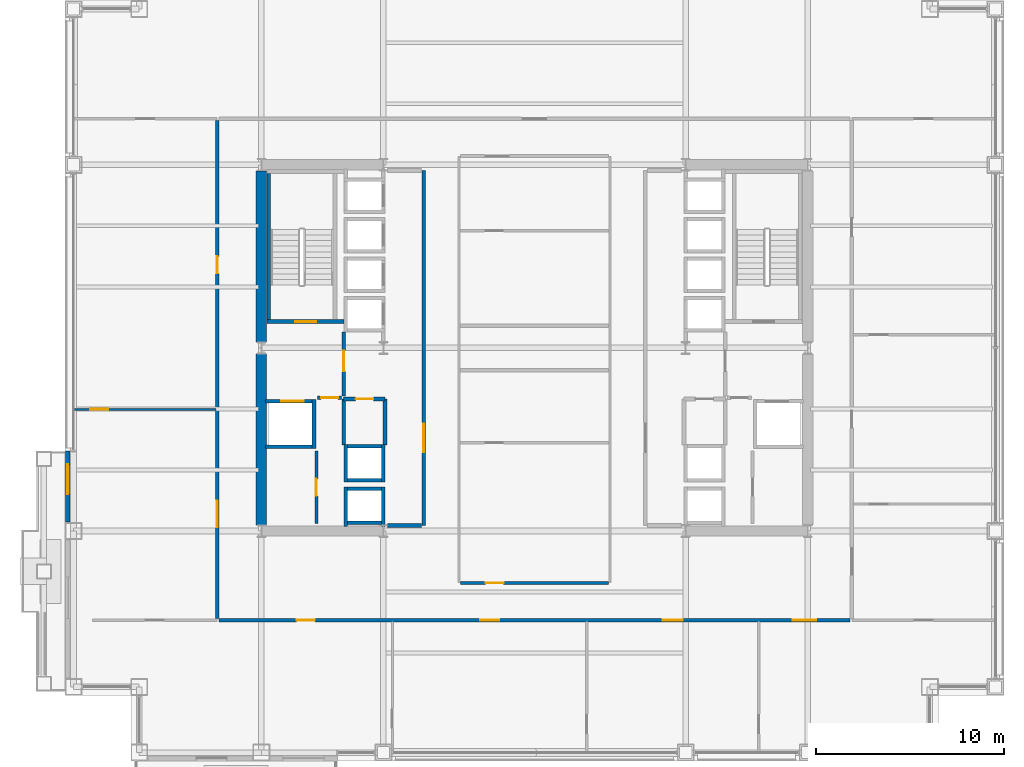
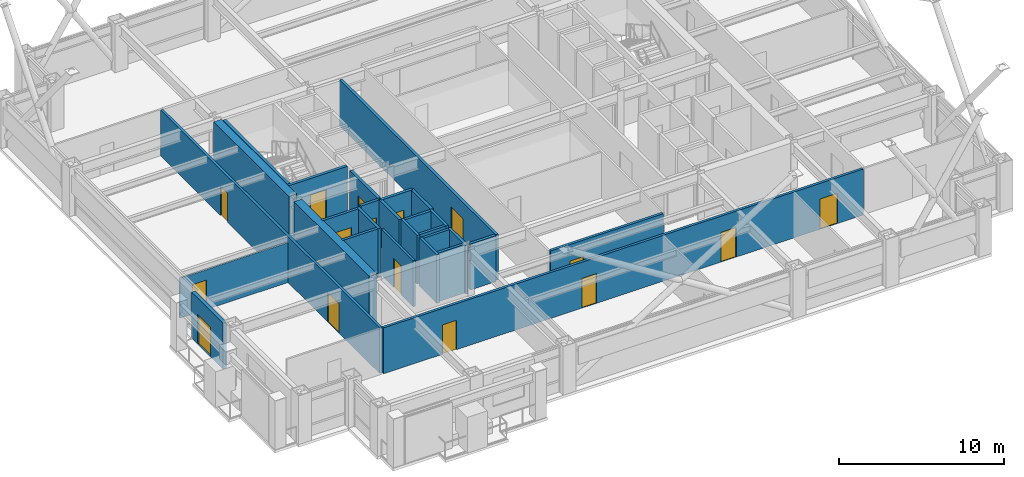
# One storey, part 25 of 30: 28 walls, 16 doors, 16 openings.
"""IFC4 building model written with IfcOpenShell, lengths in metres."""

from ifc_helpers import new_model, si_unit, direction, frame, frame_2d, origin, place, context, subcontext, project, spatial, rectangle, extrude, material, layer, layer_set, type_object, element, fill, save


model = new_model("IFC4")

# Units and contexts
model_context = context("Model", 3, precision=1e-05, world=origin(), true_north=direction((0.0, 1.0)))
body_context = subcontext(model_context, "Body", "Model", "MODEL_VIEW")
ifc_project = project(units=[si_unit("LENGTHUNIT", "METRE"), si_unit("AREAUNIT", "SQUARE_METRE"), si_unit("VOLUMEUNIT", "CUBIC_METRE"), si_unit("PLANEANGLEUNIT", "RADIAN"), si_unit("MASSUNIT", "GRAM", prefix="KILO")], contexts=[model_context])

# Site, building, storey
site_placement = place(None, origin())
site = spatial("IfcSite", under=ifc_project, at=site_placement, CompositionType="ELEMENT")
building_placement = place(site_placement, origin())
building = spatial("IfcBuilding", under=site, at=building_placement, Name="Brelmoor Portico Tower", CompositionType="ELEMENT")
storey_placement = place(building_placement, frame((0.0, 0.0, 56.39990234375)))
storey = spatial("IfcBuildingStorey", under=building, at=storey_placement, Name="L14", CompositionType="ELEMENT", Elevation=56.39990234375)

# Walls
ifc_material_1 = material(Name="Concrete C60", Category="concrete")
ifc_layer_1 = layer(ifc_material_1, 0.550048828125)
ifc_layer_set_1 = layer_set([ifc_layer_1], Name="Concrete C60")
wall_type_1 = type_object("IfcWallType", Name="WL-CORE-550", PredefinedType="SHEAR", material=ifc_layer_set_1)
for number, where, z_axis, x_axis, name in (
    (1, (-14.550048828125, -9.425048828125, -0.199951171875), (0.0, 0.0, 1.0), (0.0, 1.0, 0.0), "L14 WC Outer South Shear Wall"),
    (2, (-14.550048828125, 0.324951171875, -0.199951171875), (0.0, 0.0, 1.0), (0.0, 1.0, 0.0), "L14 WC Outer North Shear Wall"),
):
    element("IfcWall", number, at=place(storey_placement, frame(where, z_axis=z_axis, x_axis=x_axis)), inside=storey, type_object=wall_type_1, Name=name, PredefinedType="SHEAR", context=body_context, shape_type="SweptSolid", body=[
        extrude(rectangle(XDim=9.10009765625, YDim=0.550048828125, at=frame_2d((4.550048828125, 0.0))), origin(), (0.0, 0.0, 1.0), 3.60009765625),
    ])

# Wall, opening, door
ifc_material_2 = material(Name="Precast Concrete C40 Insulated Facade Wall", Category="concrete")
ifc_layer_2 = layer(ifc_material_2, 0.25)
ifc_layer_set_2 = layer_set([ifc_layer_2], Name="Precast Concrete C40 Insulated Facade Wall")
wall_type_2 = type_object("IfcWallType", Name="WL-EXT-250", PredefinedType="STANDARD", material=ifc_layer_set_2)
wall_1_placement = place(storey_placement, frame((-24.860107421875, -9.280029296875, 0.0), z_axis=(0.0, 0.0, 1.0), x_axis=(0.0, 1.0, 0.0)))
wall_1 = element("IfcWall", 3, at=wall_1_placement, inside=storey, type_object=wall_type_2, Name="L14 Loggia Threshold Wall W-2", PredefinedType="STANDARD", context=body_context, shape_type="SweptSolid", body=[
    extrude(rectangle(XDim=3.780029296875, YDim=0.25, at=frame_2d((1.89013671875, 0.0))), origin(), (0.0, 0.0, 1.0), 3.400146484375),
])
opening_1_placement = place(wall_1_placement, frame((1.47998046875, 0.0, 0.0)))
opening_1 = element("IfcOpeningElement", 4, at=opening_1_placement, cuts=wall_1, Name="Opening D-TB1", PredefinedType="OPENING", context=body_context, shape_type="SweptSolid", body=[
    extrude(rectangle(XDim=1.60009765625, YDim=2.199951171875, at=frame_2d((0.800048828125, 1.10009765625))), frame((0.0, 0.135009765625, 0.0), z_axis=(0.0, -1.0, 0.0), x_axis=(1.0, 0.0, 0.0)), (0.0, 0.0, 1.0), 0.27001953125),
])
ifc_material_3 = material(Name="Double-Leaf Thermally Broken Terrace Door", Category="aluminium")
door_type_1 = type_object("IfcDoorType", Name="DR-BALCONY-1600", OperationType="NOTDEFINED", PredefinedType="DOOR", material=ifc_material_3)
door_1_placement = place(opening_1_placement, origin())
door_1 = element("IfcDoor", 5, at=door_1_placement, inside=storey, type_object=door_type_1, Name="D-0648 L14 Tree Balcony Double Door W", OperationType="DOUBLE_DOOR_SINGLE_SWING", OverallHeight=2.199951171875, OverallWidth=1.60009765625, PredefinedType="DOOR", context=body_context, shape_type="SweptSolid", body=[
    extrude(rectangle(XDim=1.60009765625, YDim=2.199951171875, at=frame_2d((0.800048828125, 1.10009765625))), frame((0.0, 0.02490234375, 0.0), z_axis=(0.0, -1.0, 0.0), x_axis=(1.0, 0.0, 0.0)), (0.0, 0.0, 1.0), 0.050048828125),
])
fill(opening_1, door_1)

ifc_material_4 = material(Name="Lightweight Gypsum Office Partition", Category="gypsum")
ifc_layer_3 = layer(ifc_material_4, 0.1201171875)
ifc_layer_set_3 = layer_set([ifc_layer_3], Name="Lightweight Gypsum Office Partition")
wall_type_3 = type_object("IfcWallType", Name="WL-PART-120", PredefinedType="PARTITIONING", material=ifc_layer_set_3)
wall_2_placement = place(storey_placement, frame((-24.56005859375, -3.273193359375, 0.0), z_axis=(0.0, 0.0, 1.0), x_axis=(1.0, 0.0, 0.0)))
wall_2 = element("IfcWall", 6, at=wall_2_placement, inside=storey, type_object=wall_type_3, Name="L14 W Wing Partition 1", PredefinedType="PARTITIONING", context=body_context, shape_type="SweptSolid", body=[
    extrude(rectangle(XDim=7.60009765625, YDim=0.1201171875, at=frame_2d((3.800048828125, 0.0))), origin(), (0.0, 0.0, 1.0), 2.9501953125),
])
opening_2_placement = place(wall_2_placement, frame((0.89990234375, 0.0, 0.0)))
opening_2 = element("IfcOpeningElement", 7, at=opening_2_placement, cuts=wall_2, Name="Opening D-IN2", PredefinedType="OPENING", context=body_context, shape_type="SweptSolid", body=[
    extrude(rectangle(XDim=0.9599609375, YDim=2.179931640625, at=frame_2d((0.47998046875, 1.08984375))), frame((0.0, 0.070068359375, 0.0), z_axis=(0.0, -1.0, 0.0), x_axis=(1.0, 0.0, 0.0)), (0.0, 0.0, 1.0), 0.14013671875),
])
ifc_material_5 = material(Name="Lacquered Timber Suite Door", Category="wood")
door_type_2 = type_object("IfcDoorType", Name="DR-INT-950", OperationType="NOTDEFINED", PredefinedType="DOOR", material=ifc_material_5)
door_2_placement = place(opening_2_placement, origin())
door_2 = element("IfcDoor", 8, at=door_2_placement, inside=storey, type_object=door_type_2, Name="D-0656 L14 W Wing Suite Connecting Door 1", OperationType="SINGLE_SWING_LEFT", OverallHeight=2.179931640625, OverallWidth=0.9599609375, PredefinedType="DOOR", context=body_context, shape_type="SweptSolid", body=[
    extrude(rectangle(XDim=0.9599609375, YDim=2.179931640625, at=frame_2d((0.47998046875, 1.08984375))), frame((0.0, 0.02490234375, 0.0), z_axis=(0.0, -1.0, 0.0), x_axis=(1.0, 0.0, 0.0)), (0.0, 0.0, 1.0), 0.050048828125),
])
fill(opening_2, door_2)

ifc_material_6 = material(Name="Twin-Frame Acoustic Partition", Category="gypsum")
ifc_layer_4 = layer(ifc_material_6, 0.159912109375)
ifc_layer_set_4 = layer_set([ifc_layer_4], Name="Twin-Frame Acoustic Partition")
wall_type_4 = type_object("IfcWallType", Name="WL-PART-160", PredefinedType="PARTITIONING", material=ifc_layer_set_4)
wall_3_placement = place(storey_placement, frame((-11.6201171875, -9.35009765625, 0.0), z_axis=(0.0, 0.0, 1.0), x_axis=(0.0, 1.0, 0.0)))
wall_3 = element("IfcWall", 9, at=wall_3_placement, inside=storey, type_object=wall_type_4, Name="L14 W Core Service Front Wall", PredefinedType="PARTITIONING", context=body_context, shape_type="SweptSolid", body=[
    extrude(rectangle(XDim=3.85009765625, YDim=0.159912109375, at=frame_2d((1.925048828125, 0.0))), origin(), (0.0, 0.0, 1.0), 3.400146484375),
])
opening_3_placement = place(wall_3_placement, frame((1.47509765625, 0.0, 0.0)))
opening_3 = element("IfcOpeningElement", 10, at=opening_3_placement, cuts=wall_3, Name="Opening D-IN1", PredefinedType="OPENING", context=body_context, shape_type="SweptSolid", body=[
    extrude(rectangle(XDim=0.89990234375, YDim=2.14990234375, at=frame_2d((0.449951171875, 1.074951171875))), frame((0.0, 0.08984375, 0.0), z_axis=(0.0, -1.0, 0.0), x_axis=(1.0, 0.0, 0.0)), (0.0, 0.0, 1.0), 0.179931640625),
])
door_type_3 = type_object("IfcDoorType", Name="DR-INT-900", OperationType="NOTDEFINED", PredefinedType="DOOR", material=ifc_material_5)
door_3_placement = place(opening_3_placement, origin())
door_3 = element("IfcDoor", 11, at=door_3_placement, inside=storey, type_object=door_type_3, Name="D-0626 L14 W Accessible WC Door", OperationType="SINGLE_SWING_RIGHT", OverallHeight=2.14990234375, OverallWidth=0.89990234375, PredefinedType="DOOR", context=body_context, shape_type="SweptSolid", body=[
    extrude(rectangle(XDim=0.89990234375, YDim=2.14990234375, at=frame_2d((0.449951171875, 1.074951171875))), frame((0.0, 0.02490234375, 0.0), z_axis=(0.0, -1.0, 0.0), x_axis=(1.0, 0.0, 0.0)), (0.0, 0.0, 1.0), 0.050048828125),
])
fill(opening_3, door_3)

ifc_material_7 = material(Name="Acoustic Corridor Fire Partition", Category="gypsum")
ifc_layer_5 = layer(ifc_material_7, 0.179931640625)
ifc_layer_set_5 = layer_set([ifc_layer_5], Name="Acoustic Corridor Fire Partition")
wall_type_5 = type_object("IfcWallType", Name="WL-PART-180", PredefinedType="PARTITIONING", material=ifc_layer_set_5)
wall_4_placement = place(storey_placement, frame((-3.949951171875, -12.52001953125, 0.0), z_axis=(0.0, 0.0, 1.0), x_axis=(1.0, 0.0, 0.0)))
wall_4 = element("IfcWall", 12, at=wall_4_placement, inside=storey, type_object=wall_type_5, Name="L14 Central Pantry Corridor Wall", PredefinedType="PARTITIONING", context=body_context, shape_type="SweptSolid", body=[
    extrude(rectangle(XDim=7.89990234375, YDim=0.179931640625, at=frame_2d((3.949951171875, 0.0))), origin(), (0.0, 0.0, 1.0), 3.400146484375),
])
opening_4_placement = place(wall_4_placement, frame((1.35009765625, 0.0, 0.0)))
opening_4 = element("IfcOpeningElement", 13, at=opening_4_placement, cuts=wall_4, Name="Opening D-IN2", PredefinedType="OPENING", context=body_context, shape_type="SweptSolid", body=[
    extrude(rectangle(XDim=0.9599609375, YDim=2.179931640625, at=frame_2d((0.47998046875, 1.08984375))), frame((0.0, 0.099853515625, 0.0), z_axis=(0.0, -1.0, 0.0), x_axis=(1.0, 0.0, 0.0)), (0.0, 0.0, 1.0), 0.199951171875),
])
door_4_placement = place(opening_4_placement, origin())
door_4 = element("IfcDoor", 14, at=door_4_placement, inside=storey, type_object=door_type_2, Name="D-0621 L14 Staff Pantry Door", OperationType="SINGLE_SWING_RIGHT", OverallHeight=2.179931640625, OverallWidth=0.9599609375, PredefinedType="DOOR", context=body_context, shape_type="SweptSolid", body=[
    extrude(rectangle(XDim=0.9599609375, YDim=2.179931640625, at=frame_2d((0.47998046875, 1.08984375))), frame((0.0, 0.02490234375, 0.0), z_axis=(0.0, -1.0, 0.0), x_axis=(1.0, 0.0, 0.0)), (0.0, 0.0, 1.0), 0.050048828125),
])
fill(opening_4, door_4)

# Wall, openings, doors
wall_5_placement = place(storey_placement, frame((-16.800048828125, -14.5, 0.0), z_axis=(0.0, 0.0, 1.0), x_axis=(1.0, 0.0, 0.0)))
wall_5 = element("IfcWall", 15, at=wall_5_placement, inside=storey, type_object=wall_type_5, Name="L14 South Corridor Partition", PredefinedType="PARTITIONING", context=body_context, shape_type="SweptSolid", body=[
    extrude(rectangle(XDim=33.60009765625, YDim=0.179931640625, at=frame_2d((16.800048828125, 0.0))), origin(), (0.0, 0.0, 1.0), 3.400146484375),
])
opening_5_placement = place(wall_5_placement, frame((4.13720703125, 0.0, 0.0)))
opening_5 = element("IfcOpeningElement", 16, at=opening_5_placement, cuts=wall_5, Name="Opening D-IN2", PredefinedType="OPENING", context=body_context, shape_type="SweptSolid", body=[
    extrude(rectangle(XDim=0.9599609375, YDim=2.179931640625, at=frame_2d((0.47998046875, 1.08984375))), frame((0.0, 0.099853515625, 0.0), z_axis=(0.0, -1.0, 0.0), x_axis=(1.0, 0.0, 0.0)), (0.0, 0.0, 1.0), 0.199951171875),
])
opening_6_placement = place(wall_5_placement, frame((13.90087890625, 0.0, 0.0)))
opening_6 = element("IfcOpeningElement", 17, at=opening_6_placement, cuts=wall_5, Name="Opening D-OF1", PredefinedType="OPENING", context=body_context, shape_type="SweptSolid", body=[
    extrude(rectangle(XDim=1.02001953125, YDim=2.199951171875, at=frame_2d((0.510009765625, 1.10009765625))), frame((0.0, 0.099853515625, 0.0), z_axis=(0.0, -1.0, 0.0), x_axis=(1.0, 0.0, 0.0)), (0.0, 0.0, 1.0), 0.199951171875),
])
opening_7_placement = place(wall_5_placement, frame((23.63671875, 0.0, 0.0)))
opening_7 = element("IfcOpeningElement", 18, at=opening_7_placement, cuts=wall_5, Name="Opening D-OF2", PredefinedType="OPENING", context=body_context, shape_type="SweptSolid", body=[
    extrude(rectangle(XDim=1.06005859375, YDim=2.199951171875, at=frame_2d((0.530029296875, 1.10009765625))), frame((0.0, 0.099853515625, 0.0), z_axis=(0.0, -1.0, 0.0), x_axis=(1.0, 0.0, 0.0)), (0.0, 0.0, 1.0), 0.199951171875),
])
opening_8_placement = place(wall_5_placement, frame((30.552978515625, 0.0, 0.0)))
opening_8 = element("IfcOpeningElement", 19, at=opening_8_placement, cuts=wall_5, Name="Opening D-SU1", PredefinedType="OPENING", context=body_context, shape_type="SweptSolid", body=[
    extrude(rectangle(XDim=1.239990234375, YDim=2.239990234375, at=frame_2d((0.6201171875, 1.1201171875))), frame((0.0, 0.099853515625, 0.0), z_axis=(0.0, -1.0, 0.0), x_axis=(1.0, 0.0, 0.0)), (0.0, 0.0, 1.0), 0.199951171875),
])
door_5_placement = place(opening_5_placement, origin())
door_5 = element("IfcDoor", 20, at=door_5_placement, inside=storey, type_object=door_type_2, Name="D-0636 L14 South Design Workshop 1 Door", OperationType="SINGLE_SWING_LEFT", OverallHeight=2.179931640625, OverallWidth=0.9599609375, PredefinedType="DOOR", context=body_context, shape_type="SweptSolid", body=[
    extrude(rectangle(XDim=0.9599609375, YDim=2.179931640625, at=frame_2d((0.47998046875, 1.08984375))), frame((0.0, 0.02490234375, 0.0), z_axis=(0.0, -1.0, 0.0), x_axis=(1.0, 0.0, 0.0)), (0.0, 0.0, 1.0), 0.050048828125),
])
fill(opening_5, door_5)
ifc_material_8 = material(Name="Hardwood Acoustic Veneer Door", Category="wood")
door_type_4 = type_object("IfcDoorType", Name="DR-OFFICE-1000", OperationType="NOTDEFINED", PredefinedType="DOOR", material=ifc_material_8)
door_6_placement = place(opening_6_placement, origin())
door_6 = element("IfcDoor", 21, at=door_6_placement, inside=storey, type_object=door_type_4, Name="D-0637 L14 South First-Aid Consultation Room 2 Door", OperationType="SINGLE_SWING_RIGHT", OverallHeight=2.199951171875, OverallWidth=1.02001953125, PredefinedType="DOOR", context=body_context, shape_type="SweptSolid", body=[
    extrude(rectangle(XDim=1.02001953125, YDim=2.199951171875, at=frame_2d((0.510009765625, 1.10009765625))), frame((0.0, 0.02490234375, 0.0), z_axis=(0.0, -1.0, 0.0), x_axis=(1.0, 0.0, 0.0)), (0.0, 0.0, 1.0), 0.050048828125),
])
fill(opening_6, door_6)
door_type_5 = type_object("IfcDoorType", Name="DR-OFFICE-1050", OperationType="NOTDEFINED", PredefinedType="DOOR", material=ifc_material_8)
door_7_placement = place(opening_7_placement, origin())
door_7 = element("IfcDoor", 22, at=door_7_placement, inside=storey, type_object=door_type_5, Name="D-0638 L14 South Technical Archive Store 3 Door", OperationType="SINGLE_SWING_LEFT", OverallHeight=2.199951171875, OverallWidth=1.06005859375, PredefinedType="DOOR", context=body_context, shape_type="SweptSolid", body=[
    extrude(rectangle(XDim=1.06005859375, YDim=2.199951171875, at=frame_2d((0.530029296875, 1.10009765625))), frame((0.0, 0.02490234375, 0.0), z_axis=(0.0, -1.0, 0.0), x_axis=(1.0, 0.0, 0.0)), (0.0, 0.0, 1.0), 0.050048828125),
])
fill(opening_7, door_7)
ifc_material_9 = material(Name="Glazed Timber Executive Suite Door", Category="wood")
door_type_6 = type_object("IfcDoorType", Name="DR-SUITE-1200", OperationType="NOTDEFINED", PredefinedType="DOOR", material=ifc_material_9)
door_8_placement = place(opening_8_placement, origin())
door_8 = element("IfcDoor", 23, at=door_8_placement, inside=storey, type_object=door_type_6, Name="D-0639 L14 South Open-Plan Office 4 Door", OperationType="SINGLE_SWING_RIGHT", OverallHeight=2.239990234375, OverallWidth=1.239990234375, PredefinedType="DOOR", context=body_context, shape_type="SweptSolid", body=[
    extrude(rectangle(XDim=1.239990234375, YDim=2.239990234375, at=frame_2d((0.6201171875, 1.1201171875))), frame((0.0, 0.02490234375, 0.0), z_axis=(0.0, -1.0, 0.0), x_axis=(1.0, 0.0, 0.0)), (0.0, 0.0, 1.0), 0.050048828125),
])
fill(opening_8, door_8)

wall_6_placement = place(storey_placement, frame((-16.89990234375, -14.419921875, 0.0), z_axis=(0.0, 0.0, 1.0), x_axis=(0.0, 1.0, 0.0)))
wall_6 = element("IfcWall", 24, at=wall_6_placement, inside=storey, type_object=wall_type_5, Name="L14 W Wing Corridor Wall", PredefinedType="PARTITIONING", context=body_context, shape_type="SweptSolid", body=[
    extrude(rectangle(XDim=26.5400390625, YDim=0.179931640625, at=frame_2d((13.27001953125, 0.0))), origin(), (0.0, 0.0, 1.0), 3.400146484375),
])
opening_9_placement = place(wall_6_placement, frame((4.873291015625, 0.0, 0.0)))
opening_9 = element("IfcOpeningElement", 25, at=opening_9_placement, cuts=wall_6, Name="Opening D-SU2", PredefinedType="OPENING", context=body_context, shape_type="SweptSolid", body=[
    extrude(rectangle(XDim=1.39990234375, YDim=2.199951171875, at=frame_2d((0.699951171875, 1.10009765625))), frame((0.0, 0.099853515625, 0.0), z_axis=(0.0, -1.0, 0.0), x_axis=(1.0, 0.0, 0.0)), (0.0, 0.0, 1.0), 0.199951171875),
])
opening_10_placement = place(wall_6_placement, frame((18.393310546875, 0.0, 0.0)))
opening_10 = element("IfcOpeningElement", 26, at=opening_10_placement, cuts=wall_6, Name="Opening D-IN1", PredefinedType="OPENING", context=body_context, shape_type="SweptSolid", body=[
    extrude(rectangle(XDim=0.89990234375, YDim=2.14990234375, at=frame_2d((0.449951171875, 1.074951171875))), frame((0.0, 0.099853515625, 0.0), z_axis=(0.0, -1.0, 0.0), x_axis=(1.0, 0.0, 0.0)), (0.0, 0.0, 1.0), 0.199951171875),
])
door_9_placement = place(opening_10_placement, origin())
door_9 = element("IfcDoor", 27, at=door_9_placement, inside=storey, type_object=door_type_3, Name="D-0655 L14 W Design Workshop 2 Door", OperationType="SINGLE_SWING_RIGHT", OverallHeight=2.14990234375, OverallWidth=0.89990234375, PredefinedType="DOOR", context=body_context, shape_type="SweptSolid", body=[
    extrude(rectangle(XDim=0.89990234375, YDim=2.14990234375, at=frame_2d((0.449951171875, 1.074951171875))), frame((0.0, 0.02490234375, 0.0), z_axis=(0.0, -1.0, 0.0), x_axis=(1.0, 0.0, 0.0)), (0.0, 0.0, 1.0), 0.050048828125),
])
fill(opening_10, door_9)
ifc_material_10 = material(Name="Double-Leaf Acoustic Suite Door", Category="timber")
door_type_7 = type_object("IfcDoorType", Name="DR-SUITE-1400", OperationType="NOTDEFINED", PredefinedType="DOOR", material=ifc_material_10)
door_10_placement = place(opening_9_placement, origin())
door_10 = element("IfcDoor", 28, at=door_10_placement, inside=storey, type_object=door_type_7, Name="D-0654 L14 W Project Reception Concierge 1 Door", OperationType="DOUBLE_DOOR_SINGLE_SWING", OverallHeight=2.199951171875, OverallWidth=1.39990234375, PredefinedType="DOOR", context=body_context, shape_type="SweptSolid", body=[
    extrude(rectangle(XDim=1.39990234375, YDim=2.199951171875, at=frame_2d((0.699951171875, 1.10009765625))), frame((0.0, 0.02490234375, 0.0), z_axis=(0.0, -1.0, 0.0), x_axis=(1.0, 0.0, 0.0)), (0.0, 0.0, 1.0), 0.050048828125),
])
fill(opening_9, door_10)

# Wall, opening, door
ifc_material_11 = material(Name="Double-Stud Gypsum Fire Partition", Category="gypsum")
ifc_layer_6 = layer(ifc_material_11, 0.199951171875)
ifc_layer_set_6 = layer_set([ifc_layer_6], Name="Double-Stud Gypsum Fire Partition")
wall_type_6 = type_object("IfcWallType", Name="WL-PART-200", PredefinedType="PARTITIONING", material=ifc_layer_set_6)
wall_7_placement = place(storey_placement, frame((-5.89990234375, -9.449951171875, 0.0), z_axis=(0.0, 0.0, 1.0), x_axis=(0.0, 1.0, 0.0)))
wall_7 = element("IfcWall", 29, at=wall_7_placement, inside=storey, type_object=wall_type_6, Name="L14 W Core Lobby Compartment Wall", PredefinedType="PARTITIONING", context=body_context, shape_type="SweptSolid", body=[
    extrude(rectangle(XDim=18.89990234375, YDim=0.199951171875, at=frame_2d((9.449951171875, 0.0))), origin(), (0.0, 0.0, 1.0), 3.400146484375),
])
opening_11_placement = place(wall_7_placement, frame((3.89990234375, 0.0, 0.0)))
opening_11 = element("IfcOpeningElement", 30, at=opening_11_placement, cuts=wall_7, Name="Opening D-LB1", PredefinedType="OPENING", context=body_context, shape_type="SweptSolid", body=[
    extrude(rectangle(XDim=1.5, YDim=2.199951171875, at=frame_2d((0.75, 1.10009765625))), frame((0.0, 0.10986328125, 0.0), z_axis=(0.0, -1.0, 0.0), x_axis=(1.0, 0.0, 0.0)), (0.0, 0.0, 1.0), 0.219970703125),
])
ifc_material_12 = material(Name="Double-Leaf Glazed Steel Fire Door", Category="steel")
door_type_8 = type_object("IfcDoorType", Name="DR-LOBBY-1500", OperationType="NOTDEFINED", PredefinedType="DOOR", material=ifc_material_12)
door_11_placement = place(opening_11_placement, origin())
door_11 = element("IfcDoor", 31, at=door_11_placement, inside=storey, type_object=door_type_8, Name="D-0632 L14 W Lift Lobby Main Door", OperationType="DOUBLE_DOOR_SINGLE_SWING", OverallHeight=2.199951171875, OverallWidth=1.5, PredefinedType="DOOR", context=body_context, shape_type="SweptSolid", body=[
    extrude(rectangle(XDim=1.5, YDim=2.199951171875, at=frame_2d((0.75, 1.10009765625))), frame((0.0, 0.02490234375, 0.0), z_axis=(0.0, -1.0, 0.0), x_axis=(1.0, 0.0, 0.0)), (0.0, 0.0, 1.0), 0.050048828125),
])
fill(opening_11, door_11)

# Wall
wall_8_placement = place(storey_placement, frame((-6.02001953125, -9.449951171875, 0.0), z_axis=(0.0, 0.0, 1.0), x_axis=(-1.0, 0.0, 0.0)))
element("IfcWall", 32, at=wall_8_placement, inside=storey, type_object=wall_type_6, Name="L14 W Lift Lobby South End Wall", PredefinedType="PARTITIONING", context=body_context, shape_type="SweptSolid", body=[
    extrude(rectangle(XDim=1.800048828125, YDim=0.199951171875, at=frame_2d((0.89990234375, 0.0))), origin(), (0.0, 0.0, 1.0), 3.400146484375),
])

# Wall, opening, door
wall_9_placement = place(storey_placement, frame((-10.159912109375, -2.550048828125, 0.0), z_axis=(0.0, 0.0, 1.0), x_axis=(0.0, 1.0, 0.0)))
wall_9 = element("IfcWall", 33, at=wall_9_placement, inside=storey, type_object=wall_type_6, Name="L14 W Firefighting Lobby Wall", PredefinedType="PARTITIONING", context=body_context, shape_type="SweptSolid", body=[
    extrude(rectangle(XDim=3.400146484375, YDim=0.199951171875, at=frame_2d((1.7001953125, 0.0))), origin(), (0.0, 0.0, 1.0), 3.400146484375),
])
opening_12_placement = place(wall_9_placement, frame((1.300048828125, 0.0, 0.0)))
opening_12 = element("IfcOpeningElement", 34, at=opening_12_placement, cuts=wall_9, Name="Opening D-FR1", PredefinedType="OPENING", context=body_context, shape_type="SweptSolid", body=[
    extrude(rectangle(XDim=1.10009765625, YDim=2.14990234375, at=frame_2d((0.550048828125, 1.074951171875))), frame((0.0, 0.10986328125, 0.0), z_axis=(0.0, -1.0, 0.0), x_axis=(1.0, 0.0, 0.0)), (0.0, 0.0, 1.0), 0.219970703125),
])
ifc_material_13 = material(Name="Painted Galvanised Steel Fire Door", Category="steel")
door_type_9 = type_object("IfcDoorType", Name="DR-FIRE-1100", OperationType="NOTDEFINED", PredefinedType="DOOR", material=ifc_material_13)
door_12_placement = place(opening_12_placement, origin())
door_12 = element("IfcDoor", 35, at=door_12_placement, inside=storey, type_object=door_type_9, Name="D-0630 L14 W Firefighting Lobby Door", OperationType="SINGLE_SWING_LEFT", OverallHeight=2.14990234375, OverallWidth=1.10009765625, PredefinedType="DOOR", context=body_context, shape_type="SweptSolid", body=[
    extrude(rectangle(XDim=1.10009765625, YDim=2.14990234375, at=frame_2d((0.550048828125, 1.074951171875))), frame((0.0, 0.02490234375, 0.0), z_axis=(0.0, -1.0, 0.0), x_axis=(1.0, 0.0, 0.0)), (0.0, 0.0, 1.0), 0.050048828125),
])
fill(opening_12, door_12)

wall_10_placement = place(storey_placement, frame((-10.280029296875, -2.64990234375, 0.0), z_axis=(0.0, 0.0, 1.0), x_axis=(-1.0, 0.0, 0.0)))
wall_10 = element("IfcWall", 36, at=wall_10_placement, inside=storey, type_object=wall_type_6, Name="L14 W Firefighting Lobby South Wall", PredefinedType="PARTITIONING", context=body_context, shape_type="SweptSolid", body=[
    extrude(rectangle(XDim=1.27001953125, YDim=0.199951171875, at=frame_2d((0.635009765625, 0.0))), origin(), (0.0, 0.0, 1.0), 3.400146484375),
])
opening_13_placement = place(wall_10_placement, frame((0.18505859375, 0.0, 0.0)))
opening_13 = element("IfcOpeningElement", 37, at=opening_13_placement, cuts=wall_10, Name="Opening D-IN1", PredefinedType="OPENING", context=body_context, shape_type="SweptSolid", body=[
    extrude(rectangle(XDim=0.89990234375, YDim=2.14990234375, at=frame_2d((0.449951171875, 1.074951171875))), frame((0.0, 0.10986328125, 0.0), z_axis=(0.0, -1.0, 0.0), x_axis=(1.0, 0.0, 0.0)), (0.0, 0.0, 1.0), 0.219970703125),
])
door_13_placement = place(opening_13_placement, origin())
door_13 = element("IfcDoor", 38, at=door_13_placement, inside=storey, type_object=door_type_3, Name="D-0625 L14 W Core Service Vestibule Door", OperationType="SINGLE_SWING_RIGHT", OverallHeight=2.14990234375, OverallWidth=0.89990234375, PredefinedType="DOOR", context=body_context, shape_type="SweptSolid", body=[
    extrude(rectangle(XDim=0.89990234375, YDim=2.14990234375, at=frame_2d((0.449951171875, 1.074951171875))), frame((0.0, 0.02490234375, 0.0), z_axis=(0.0, -1.0, 0.0), x_axis=(1.0, 0.0, 0.0)), (0.0, 0.0, 1.0), 0.050048828125),
])
fill(opening_13, door_13)

wall_11_placement = place(storey_placement, frame((-7.9599609375, -2.719970703125, 0.0), z_axis=(0.0, 0.0, 1.0), x_axis=(-1.0, 0.0, 0.0)))
wall_11 = element("IfcWall", 39, at=wall_11_placement, inside=storey, type_object=wall_type_6, Name="L14 W Electrical Switchgear Closet Wall", PredefinedType="PARTITIONING", context=body_context, shape_type="SweptSolid", body=[
    extrude(rectangle(XDim=2.199951171875, YDim=0.199951171875, at=frame_2d((1.10009765625, 0.0))), origin(), (0.0, 0.0, 1.0), 3.400146484375),
])
opening_14_placement = place(wall_11_placement, frame((0.6201171875, 0.0, 0.0)))
opening_14 = element("IfcOpeningElement", 40, at=opening_14_placement, cuts=wall_11, Name="Opening D-FR4", PredefinedType="OPENING", context=body_context, shape_type="SweptSolid", body=[
    extrude(rectangle(XDim=0.949951171875, YDim=2.10009765625, at=frame_2d((0.47509765625, 1.050048828125))), frame((0.0, 0.10986328125, 0.0), z_axis=(0.0, -1.0, 0.0), x_axis=(1.0, 0.0, 0.0)), (0.0, 0.0, 1.0), 0.219970703125),
])
ifc_material_14 = material(Name="Painted Galvanised Steel Riser Door", Category="steel")
door_type_10 = type_object("IfcDoorType", Name="DR-FIRE-950", OperationType="NOTDEFINED", PredefinedType="DOOR", material=ifc_material_14)
door_14_placement = place(opening_14_placement, origin())
door_14 = element("IfcDoor", 41, at=door_14_placement, inside=storey, type_object=door_type_10, Name="D-0628 L14 W Electrical Switchgear Closet Door", OperationType="SINGLE_SWING_LEFT", OverallHeight=2.10009765625, OverallWidth=0.949951171875, PredefinedType="DOOR", context=body_context, shape_type="SweptSolid", body=[
    extrude(rectangle(XDim=0.949951171875, YDim=2.10009765625, at=frame_2d((0.47509765625, 1.050048828125))), frame((0.0, 0.02490234375, 0.0), z_axis=(0.0, -1.0, 0.0), x_axis=(1.0, 0.0, 0.0)), (0.0, 0.0, 1.0), 0.050048828125),
])
fill(opening_14, door_14)

# Walls
for number, where, z_axis, x_axis, name in (
    (42, (-7.9599609375, -5.159912109375, 0.0), (0.0, 0.0, 1.0), (0.0, 1.0, 0.0), "L14 W Electrical Switchgear Closet Inner Wall"),
    (43, (-10.159912109375, -5.159912109375, 0.0), (0.0, 0.0, 1.0), (0.0, 1.0, 0.0), "L14 W Electrical Switchgear Closet Outer Wall"),
):
    element("IfcWall", number, at=place(storey_placement, frame(where, z_axis=z_axis, x_axis=x_axis)), inside=storey, type_object=wall_type_6, Name=name, PredefinedType="PARTITIONING", context=body_context, shape_type="SweptSolid", body=[
        extrude(rectangle(XDim=2.43994140625, YDim=0.199951171875, at=frame_2d((1.219970703125, 0.0))), origin(), (0.0, 0.0, 1.0), 3.400146484375),
    ])
ifc_material_15 = material(Name="Precast Concrete C40", Category="concrete")
ifc_layer_7 = layer(ifc_material_15, 0.18994140625)
ifc_layer_set_7 = layer_set([ifc_layer_7], Name="Precast Concrete C40")
wall_type_7 = type_object("IfcWallType", Name="WL-SHAFT-180", PredefinedType="SOLIDWALL", material=ifc_layer_set_7)
for number, where, z_axis, x_axis, name in (
    (44, (-8.044921875, -9.52001953125, -0.199951171875), (0.0, 0.0, 1.0), (0.0, 1.0, 0.0), "L14 Lift PH1 Hoistway Front Wall"),
    (45, (-10.054931640625, -9.52001953125, -0.199951171875), (0.0, 0.0, 1.0), (0.0, 1.0, 0.0), "L14 Lift PH1 Hoistway Back Wall"),
):
    element("IfcWall", number, at=place(storey_placement, frame(where, z_axis=z_axis, x_axis=x_axis)), inside=storey, type_object=wall_type_7, Name=name, PredefinedType="SOLIDWALL", context=body_context, shape_type="SweptSolid", body=[
        extrude(rectangle(XDim=2.1201171875, YDim=0.18994140625, at=frame_2d((1.06005859375, 0.0))), origin(), (0.0, 0.0, 1.0), 3.60009765625),
    ])
for number, where, z_axis, x_axis, name in (
    (46, (-10.14990234375, -7.4951171875, -0.199951171875), (0.0, 0.0, 1.0), (1.0, 0.0, 0.0), "L14 Lift PH1 Hoistway North Wall"),
    (47, (-10.14990234375, -9.304931640625, -0.199951171875), (0.0, 0.0, 1.0), (1.0, 0.0, 0.0), "L14 Lift PH1 Hoistway South Wall"),
):
    element("IfcWall", number, at=place(storey_placement, frame(where, z_axis=z_axis, x_axis=x_axis)), inside=storey, type_object=wall_type_7, Name=name, PredefinedType="SOLIDWALL", context=body_context, shape_type="SweptSolid", body=[
        extrude(rectangle(XDim=2.199951171875, YDim=0.18994140625, at=frame_2d((1.10009765625, 0.0))), origin(), (0.0, 0.0, 1.0), 3.60009765625),
    ])
for number, where, z_axis, x_axis, name in (
    (48, (-8.044921875, -7.14990234375, -0.199951171875), (0.0, 0.0, 1.0), (0.0, 1.0, 0.0), "L14 Lift PH2 Hoistway Front Wall"),
    (49, (-10.054931640625, -7.14990234375, -0.199951171875), (0.0, 0.0, 1.0), (0.0, 1.0, 0.0), "L14 Lift PH2 Hoistway Back Wall"),
):
    element("IfcWall", number, at=place(storey_placement, frame(where, z_axis=z_axis, x_axis=x_axis)), inside=storey, type_object=wall_type_7, Name=name, PredefinedType="SOLIDWALL", context=body_context, shape_type="SweptSolid", body=[
        extrude(rectangle(XDim=2.0, YDim=0.18994140625, at=frame_2d((1.0, 0.0))), origin(), (0.0, 0.0, 1.0), 3.60009765625),
    ])
for number, where, z_axis, x_axis, name in (
    (50, (-10.14990234375, -5.2451171875, -0.199951171875), (0.0, 0.0, 1.0), (1.0, 0.0, 0.0), "L14 Lift PH2 Hoistway North Wall"),
    (51, (-10.14990234375, -7.054931640625, -0.199951171875), (0.0, 0.0, 1.0), (1.0, 0.0, 0.0), "L14 Lift PH2 Hoistway South Wall"),
):
    element("IfcWall", number, at=place(storey_placement, frame(where, z_axis=z_axis, x_axis=x_axis)), inside=storey, type_object=wall_type_7, Name=name, PredefinedType="SOLIDWALL", context=body_context, shape_type="SweptSolid", body=[
        extrude(rectangle(XDim=2.199951171875, YDim=0.18994140625, at=frame_2d((1.10009765625, 0.0))), origin(), (0.0, 0.0, 1.0), 3.60009765625),
    ])

# Wall, opening, door
wall_12_placement = place(storey_placement, frame((-14.330078125, -2.844970703125, -0.199951171875), z_axis=(0.0, 0.0, 1.0), x_axis=(1.0, 0.0, 0.0)))
wall_12 = element("IfcWall", 52, at=wall_12_placement, inside=storey, type_object=wall_type_7, Name="L14 Lift FF1 Hoistway Front Wall", PredefinedType="SOLIDWALL", context=body_context, shape_type="SweptSolid", body=[
    extrude(rectangle(XDim=2.68017578125, YDim=0.18994140625, at=frame_2d((1.340087890625, 0.0))), origin(), (0.0, 0.0, 1.0), 3.60009765625),
])
opening_15_placement = place(wall_12_placement, frame((0.830078125, 0.0, 0.199951171875)))
opening_15 = element("IfcOpeningElement", 53, at=opening_15_placement, cuts=wall_12, Name="Opening LD-02", PredefinedType="OPENING", context=body_context, shape_type="SweptSolid", body=[
    extrude(rectangle(XDim=1.199951171875, YDim=2.199951171875, at=frame_2d((0.60009765625, 1.10009765625))), frame((0.0, 0.10498046875, 0.0), z_axis=(0.0, -1.0, 0.0), x_axis=(1.0, 0.0, 0.0)), (0.0, 0.0, 1.0), 0.2099609375),
])
ifc_material_16 = material(Name="Brushed Stainless Steel Firefighting Lift Door", Category="steel")
door_type_11 = type_object("IfcDoorType", Name="DR-LIFT-1200", OperationType="NOTDEFINED", PredefinedType="DOOR", material=ifc_material_16)
door_15_placement = place(opening_15_placement, origin())
door_15 = element("IfcDoor", 54, at=door_15_placement, inside=storey, type_object=door_type_11, Name="D-0657 L14 Lift FF1 Sliding Landing Door", OperationType="SLIDING_TO_LEFT", OverallHeight=2.199951171875, OverallWidth=1.199951171875, PredefinedType="DOOR", context=body_context, shape_type="SweptSolid", body=[
    extrude(rectangle(XDim=1.199951171875, YDim=2.199951171875, at=frame_2d((0.60009765625, 1.10009765625))), frame((0.0, 0.02490234375, 0.0), z_axis=(0.0, -1.0, 0.0), x_axis=(1.0, 0.0, 0.0)), (0.0, 0.0, 1.0), 0.050048828125),
])
fill(opening_15, door_15)

# Walls
wall_13_placement = place(storey_placement, frame((-14.330078125, -5.2548828125, -0.199951171875), z_axis=(0.0, 0.0, 1.0), x_axis=(1.0, 0.0, 0.0)))
element("IfcWall", 55, at=wall_13_placement, inside=storey, type_object=wall_type_7, Name="L14 Firefighting Lift FF1 South Wall", PredefinedType="SOLIDWALL", context=body_context, shape_type="SweptSolid", body=[
    extrude(rectangle(XDim=2.68017578125, YDim=0.18994140625, at=frame_2d((1.340087890625, 0.0))), origin(), (0.0, 0.0, 1.0), 3.60009765625),
])
wall_14_placement = place(storey_placement, frame((-11.7451171875, -5.35009765625, -0.199951171875), z_axis=(0.0, 0.0, 1.0), x_axis=(0.0, 1.0, 0.0)))
element("IfcWall", 56, at=wall_14_placement, inside=storey, type_object=wall_type_7, Name="L14 Firefighting Lift FF1 Inner Wall", PredefinedType="SOLIDWALL", context=body_context, shape_type="SweptSolid", body=[
    extrude(rectangle(XDim=2.60009765625, YDim=0.18994140625, at=frame_2d((1.300048828125, 0.0))), origin(), (0.0, 0.0, 1.0), 3.60009765625),
])
ifc_material_17 = material(Name="Concrete C40", Category="concrete")
ifc_layer_8 = layer(ifc_material_17, 0.199951171875)
ifc_layer_set_8 = layer_set([ifc_layer_8], Name="Concrete C40")
wall_type_8 = type_object("IfcWallType", Name="WL-SHAFT-RC200", PredefinedType="SOLIDWALL", material=ifc_layer_set_8)
wall_15_placement = place(storey_placement, frame((-14.14990234375, 1.5, -0.199951171875), z_axis=(0.0, 0.0, 1.0), x_axis=(0.0, 1.0, 0.0)))
element("IfcWall", 57, at=wall_15_placement, inside=storey, type_object=wall_type_8, Name="L14 ST-W Structural Stair Wall Outer", PredefinedType="SOLIDWALL", context=body_context, shape_type="SweptSolid", body=[
    extrude(rectangle(XDim=7.800048828125, YDim=0.199951171875, at=frame_2d((3.89990234375, 0.0))), origin(), (0.0, 0.0, 1.0), 3.60009765625),
])

# Wall, opening, door
wall_16_placement = place(storey_placement, frame((-14.25, 1.39990234375, -0.199951171875), z_axis=(0.0, 0.0, 1.0), x_axis=(1.0, 0.0, 0.0)))
wall_16 = element("IfcWall", 58, at=wall_16_placement, inside=storey, type_object=wall_type_8, Name="L14 ST-W Structural Stair Wall S", PredefinedType="SOLIDWALL", context=body_context, shape_type="SweptSolid", body=[
    extrude(rectangle(XDim=4.10009765625, YDim=0.199951171875, at=frame_2d((2.050048828125, 0.0))), origin(), (0.0, 0.0, 1.0), 3.60009765625),
])
opening_16_placement = place(wall_16_placement, frame((1.5, 0.0, 0.199951171875)))
opening_16 = element("IfcOpeningElement", 59, at=opening_16_placement, cuts=wall_16, Name="Opening D-ST1", PredefinedType="OPENING", context=body_context, shape_type="SweptSolid", body=[
    extrude(rectangle(XDim=1.1201171875, YDim=2.179931640625, at=frame_2d((0.56005859375, 1.08984375))), frame((0.0, 0.10986328125, 0.0), z_axis=(0.0, -1.0, 0.0), x_axis=(1.0, 0.0, 0.0)), (0.0, 0.0, 1.0), 0.219970703125),
])
door_type_12 = type_object("IfcDoorType", Name="DR-STAIR-1100", OperationType="NOTDEFINED", PredefinedType="DOOR", material=ifc_material_13)
door_16_placement = place(opening_16_placement, origin())
door_16 = element("IfcDoor", 60, at=door_16_placement, inside=storey, type_object=door_type_12, Name="D-0644 L14 ST-W Protected Exit Stair Door", OperationType="SINGLE_SWING_LEFT", OverallHeight=2.179931640625, OverallWidth=1.1201171875, PredefinedType="DOOR", context=body_context, shape_type="SweptSolid", body=[
    extrude(rectangle(XDim=1.1201171875, YDim=2.179931640625, at=frame_2d((0.56005859375, 1.08984375))), frame((0.0, 0.02490234375, 0.0), z_axis=(0.0, -1.0, 0.0), x_axis=(1.0, 0.0, 0.0)), (0.0, 0.0, 1.0), 0.050048828125),
])
fill(opening_16, door_16)

save(model, "model.ifc")
